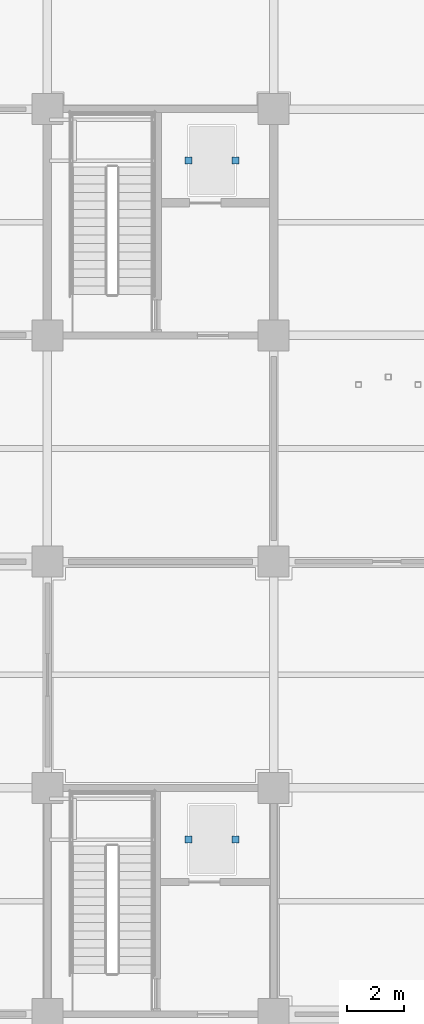
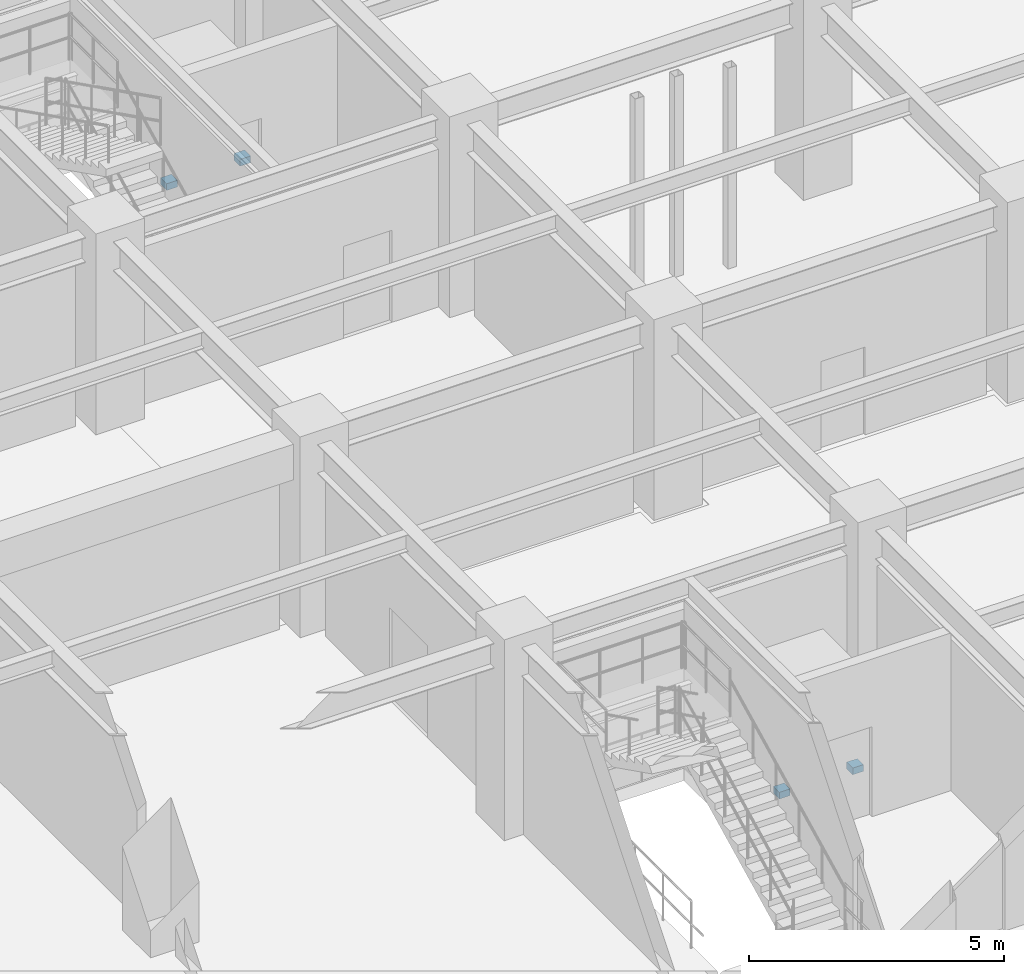
# One storey, part 98 of 125: 4 discrete accessories.
"""IFC4 building model written with IfcOpenShell, lengths in metres."""

from ifc_helpers import new_model, si_unit, direction, frame, origin, origin_2d, place, context, subcontext, project, spatial, rectangle, extrude, material, layer, layer_set, type_object, element, save


model = new_model("IFC4")

# Units and contexts
model_context = context("Model", 3, precision=1e-05, world=origin(), true_north=direction((0.0, 1.0)))
body_context = subcontext(model_context, "Body", "Model", "MODEL_VIEW")
ifc_project = project(units=[si_unit("LENGTHUNIT", "METRE"), si_unit("AREAUNIT", "SQUARE_METRE"), si_unit("VOLUMEUNIT", "CUBIC_METRE"), si_unit("PLANEANGLEUNIT", "RADIAN"), si_unit("MASSUNIT", "GRAM", prefix="KILO")], contexts=[model_context])

# Site, building, storey
site_placement = place(None, origin())
site = spatial("IfcSite", under=ifc_project, at=site_placement, CompositionType="ELEMENT")
building_placement = place(site_placement, origin())
building = spatial("IfcBuilding", under=site, at=building_placement, Name="Haebicheon Civic Stadium", CompositionType="ELEMENT")
storey_placement = place(building_placement, origin())
storey = spatial("IfcBuildingStorey", under=building, at=storey_placement, Name="L01", CompositionType="ELEMENT", Elevation=0.0)

# Discrete accessories
ifc_material = material(Name="Stainless steel 316", Category="steel")
ifc_layer = layer(ifc_material, 0.139892578125, Name="Stainless steel 316")
ifc_layer_set = layer_set([ifc_layer], Name="Stainless steel 316")
discrete_accessory_type = type_object("IfcDiscreteAccessoryType", Name="BRK-LVR-CLEAT", PredefinedType="BRACKET", material=ifc_layer_set)
for number, where, z_axis, x_axis, name in (
    (1, (36.989990234375, 86.179931640625, -0.06005859375), (0.0, 0.0, 1.0), (1.0, 0.0, 0.0), "LF-03 shaft guide-rail bracket W"),
    (2, (38.64990234375, 86.179931640625, -0.06005859375), (0.0, 0.0, 1.0), (1.0, 0.0, 0.0), "LF-03 shaft guide-rail bracket E"),
    (3, (36.989990234375, 110.179931640625, -0.06005859375), (0.0, 0.0, 1.0), (1.0, 0.0, 0.0), "LF-04 shaft guide-rail bracket W"),
    (4, (38.64990234375, 110.179931640625, -0.06005859375), (0.0, 0.0, 1.0), (1.0, 0.0, 0.0), "LF-04 shaft guide-rail bracket E"),
):
    element("IfcDiscreteAccessory", number, at=place(storey_placement, frame(where, z_axis=z_axis, x_axis=x_axis)), inside=storey, type_object=discrete_accessory_type, material=ifc_layer_set, Name=name, PredefinedType="BRACKET", context=body_context, shape_type="SweptSolid", body=[
        extrude(rectangle(XDim=0.239990234375, YDim=0.239990234375, at=origin_2d()), origin(), (0.0, 0.0, 1.0), 0.159912109375),
    ])

save(model, "model.ifc")
